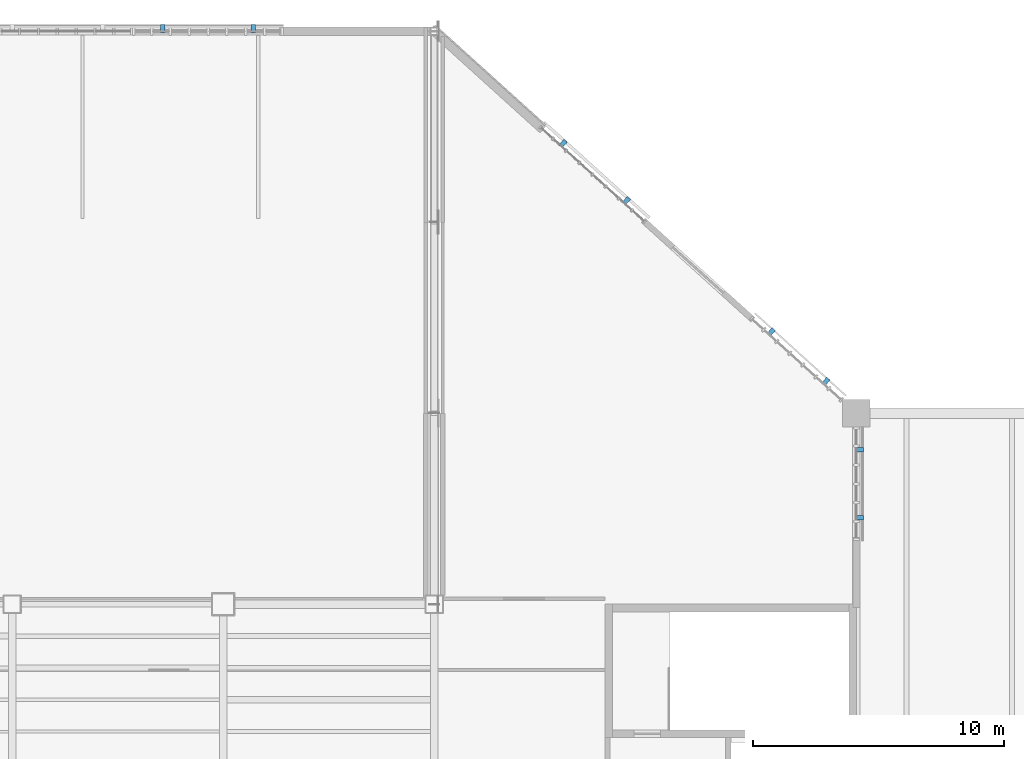
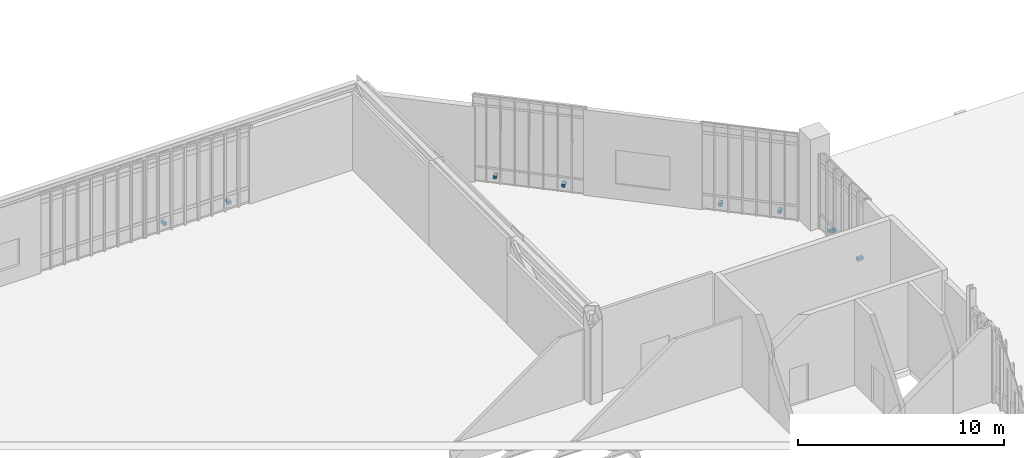
# One storey, part 126 of 135: 8 discrete accessories.
"""IFC4 building model written with IfcOpenShell, lengths in metres."""

import ifcopenshell
import ifcopenshell.guid

model = None  # the IFC model being written
_history = None  # IfcOwnerHistory: only IFC2X3 demands one
_inside = {}  # id of a spatial element -> (the spatial element, [elements in it])
_under = {}  # id of a project, library or spatial element -> (it, [spatial elements below it])
_declared = {}  # id of a project -> (the project, [libraries it declares])
_typed = {}  # id of a type object -> (the type object, [elements of that type])
_made_of = {}  # id of a material, layer set ... -> (it, [elements and type objects made of it])


def new_model(schema):
    """Start an empty IFC model of exactly this schema.

    Asked for "IFC4X3", IfcOpenShell would pick the latest addendum, in which some entities
    have other attributes; the version numbers below select the first issue.
    IFC2X3 requires an IfcOwnerHistory on every rooted entity: one is made here for all.
    """
    global model, _history
    if schema == "IFC4X3":
        model = ifcopenshell.file(schema_version=(4, 3, 0, 0))
    else:
        model = ifcopenshell.file(schema=schema)
    _inside.clear()
    _under.clear()
    _declared.clear()
    _typed.clear()
    _made_of.clear()
    _history = None
    if model.schema == "IFC2X3":
        org = make("IfcOrganization", Name="unknown")
        user = make(
            "IfcPersonAndOrganization",
            ThePerson=make("IfcPerson", FamilyName="unknown"),
            TheOrganization=org,
        )
        app = make(
            "IfcApplication",
            ApplicationDeveloper=org,
            Version="unknown",
            ApplicationFullName="unknown",
            ApplicationIdentifier="unknown",
        )
        _history = make(
            "IfcOwnerHistory",
            OwningUser=user,
            OwningApplication=app,
            ChangeAction="ADDED",
            CreationDate=0,
        )
    return model


def make(cls, **values):
    """One entity of the class cls with the attributes given. An attribute that is None is left unset."""
    return model.create_entity(
        cls, **{name: value for name, value in values.items() if value is not None}
    )


def rooted(cls, **values):
    """An entity with a GlobalId (a new one), such as an element, a storey or a relation."""
    return make(cls, GlobalId=ifcopenshell.guid.new(), OwnerHistory=_history, **values)


def si_unit(unit_type, name, prefix=None):
    """IfcSIUnit, for example si_unit("LENGTHUNIT", "METRE", prefix="MILLI")."""
    return make("IfcSIUnit", UnitType=unit_type, Prefix=prefix, Name=name)


def assignment(units):
    """IfcUnitAssignment: the units of a project."""
    return None if units is None else make("IfcUnitAssignment", Units=units)


def point(xyz):
    """IfcCartesianPoint."""
    return None if xyz is None else make("IfcCartesianPoint", Coordinates=xyz)


def direction(xyz):
    """IfcDirection."""
    return None if xyz is None else make("IfcDirection", DirectionRatios=xyz)


def frame(location, z_axis=None, x_axis=None):
    """IfcAxis2Placement3D, a coordinate frame: its origin and axes. An axis left out is left unset."""
    return make(
        "IfcAxis2Placement3D",
        Location=point(location),
        Axis=direction(z_axis),
        RefDirection=direction(x_axis),
    )


def frame_2d(location, x_axis=None):
    """IfcAxis2Placement2D, a coordinate frame in the plane: its origin and x axis."""
    return make(
        "IfcAxis2Placement2D", Location=point(location), RefDirection=direction(x_axis)
    )


def origin():
    """The frame at (0, 0, 0) with its axes left unset."""
    return frame((0.0, 0.0, 0.0))


def origin_2d():
    """The frame at (0, 0) in the plane with its x axis left unset."""
    return frame_2d((0.0, 0.0))


def place(relative_to, where):
    """IfcLocalPlacement: puts the frame where relative to a parent placement (None: the world)."""
    return make(
        "IfcLocalPlacement", PlacementRelTo=relative_to, RelativePlacement=where
    )


def context(
    kind, dimensions, precision=None, world=None, true_north=None, identifier=None
):
    """IfcGeometricRepresentationContext, for example the 3D "Model" context."""
    return make(
        "IfcGeometricRepresentationContext",
        ContextIdentifier=identifier,
        ContextType=kind,
        CoordinateSpaceDimension=dimensions,
        Precision=precision,
        WorldCoordinateSystem=world,
        TrueNorth=true_north,
    )


def subcontext(parent, identifier, kind, view, scale=None):
    """IfcGeometricRepresentationSubContext, for example "Body" below "Model"."""
    return make(
        "IfcGeometricRepresentationSubContext",
        ContextIdentifier=identifier,
        ContextType=kind,
        ParentContext=parent,
        TargetScale=scale,
        TargetView=view,
    )


def project(units=None, contexts=None):
    """IfcProject with its units and contexts."""
    return rooted(
        "IfcProject",
        Name="project",
        RepresentationContexts=contexts,
        UnitsInContext=assignment(units),
    )


def spatial(cls, under=None, at=None, **own):
    """A site, building, storey or space (cls), placed at a placement, below another one or the project."""
    s = rooted(cls, ObjectPlacement=at, **own)
    if under is not None:
        _under.setdefault(under.id(), (under, []))[1].append(s)
    return s


def profile(cls, at=None, kind="AREA", **sizes):
    """A parametric profile (cls). Its sizes go by their IFC names, for example OverallWidth=200.0."""
    return make(cls, ProfileType=kind, Position=at, **sizes)


def rectangle(**sizes):
    """IfcRectangleProfileDef."""
    return profile("IfcRectangleProfileDef", **sizes)


def extrude(swept, where, along, depth):
    """IfcExtrudedAreaSolid: the profile swept, set in the frame where, extruded along a direction by depth."""
    return make(
        "IfcExtrudedAreaSolid",
        SweptArea=swept,
        Position=where,
        ExtrudedDirection=direction(along),
        Depth=depth,
    )


def shape(context_of_items, identifier, shape_type, items):
    """IfcShapeRepresentation: the items that make up one representation, for example the "Body"."""
    return make(
        "IfcShapeRepresentation",
        ContextOfItems=context_of_items,
        RepresentationIdentifier=identifier,
        RepresentationType=shape_type,
        Items=items,
    )


def material(Name=None, Category=None):
    """IfcMaterial."""
    return make("IfcMaterial", Name=Name, Category=Category)


def layer(
    of_material, thickness, ventilated=None, Name=None, Category=None, Priority=None
):
    """IfcMaterialLayer: one layer of a wall or slab, of a material (None: an air gap)."""
    return make(
        "IfcMaterialLayer",
        Material=of_material,
        LayerThickness=thickness,
        IsVentilated=ventilated,
        Name=Name,
        Category=Category,
        Priority=Priority,
    )


def layer_set(layers, Name=None):
    """IfcMaterialLayerSet."""
    return make("IfcMaterialLayerSet", MaterialLayers=layers, LayerSetName=Name)


def made_of(thing, what):
    """Note that an element or type object is made of a material, layer set ...; save() writes the relation."""
    if what is not None:
        _made_of.setdefault(what.id(), (what, []))[1].append(thing)
    return thing


def type_object(cls, material=None, **own):
    """A type object (cls), such as IfcWallType, which elements share."""
    return made_of(rooted(cls, **own), material)


def element(
    cls,
    number,
    at=None,
    inside=None,
    cuts=None,
    type_object=None,
    material=None,
    context=None,
    identifier="Body",
    shape_type=None,
    held_by="IfcProductDefinitionShape",
    body=None,
    shapes=None,
    **own,
):
    """One element of the class cls, such as IfcWall. Its Tag is "e" and its number.

    at: its placement. inside: the storey or other place that contains it. cuts: it is an
    opening in that element (IfcRelVoidsElement). A single representation is given by context,
    identifier, shape_type and body (its items); several are given by shapes. held_by: the class
    of the entity that holds the representations. save() writes the other relations.
    """
    e = rooted(cls, Tag="e%d" % number, ObjectPlacement=at, **own)
    if body is not None:
        shapes = [shape(context, identifier, shape_type, body)]
    if shapes is not None:
        e.Representation = make(held_by, Representations=shapes)
    if inside is not None:
        _inside.setdefault(inside.id(), (inside, []))[1].append(e)
    if cuts is not None:
        rooted(
            "IfcRelVoidsElement", RelatingBuildingElement=cuts, RelatedOpeningElement=e
        )
    if type_object is not None:
        _typed.setdefault(type_object.id(), (type_object, []))[1].append(e)
    return made_of(e, material)


def aggregate(whole, parts):
    """IfcRelAggregates: a whole, such as a stair, and the parts it consists of."""
    return rooted("IfcRelAggregates", RelatingObject=whole, RelatedObjects=parts)


def save(model, path):
    """Write the relations noted so far, then the file.

    IfcRelAggregates (storeys below a building ...), IfcRelContainedInSpatialStructure (elements
    in a storey), IfcRelDefinesByType, IfcRelAssociatesMaterial and IfcRelDeclares: one each for
    every whole, place, type object, material and project.
    """
    for whole, parts in _under.values():
        aggregate(whole, parts)
    for where, things in _inside.values():
        rooted(
            "IfcRelContainedInSpatialStructure",
            RelatedElements=things,
            RelatingStructure=where,
        )
    for kind, things in _typed.values():
        rooted("IfcRelDefinesByType", RelatedObjects=things, RelatingType=kind)
    for what, things in _made_of.values():
        rooted("IfcRelAssociatesMaterial", RelatedObjects=things, RelatingMaterial=what)
    for by, libraries in _declared.values():
        rooted("IfcRelDeclares", RelatingContext=by, RelatedDefinitions=libraries)
    model.write(path)


model = new_model("IFC4")

# Units and contexts
model_context = context("Model", 3, precision=1e-05, world=origin(), true_north=direction((0.0, 1.0)))
body_context = subcontext(model_context, "Body", "Model", "MODEL_VIEW")
ifc_project = project(units=[si_unit("LENGTHUNIT", "METRE"), si_unit("AREAUNIT", "SQUARE_METRE"), si_unit("VOLUMEUNIT", "CUBIC_METRE"), si_unit("PLANEANGLEUNIT", "RADIAN"), si_unit("MASSUNIT", "GRAM", prefix="KILO")], contexts=[model_context])

# Site, building, storey
site_placement = place(None, origin())
site = spatial("IfcSite", under=ifc_project, at=site_placement, CompositionType="ELEMENT")
building_placement = place(site_placement, origin())
building = spatial("IfcBuilding", under=site, at=building_placement, Name="Larkvane Passage Sports Hall", CompositionType="ELEMENT")
storey_placement = place(building_placement, frame((0.0, 0.0, 16.800048828125)))
storey = spatial("IfcBuildingStorey", under=building, at=storey_placement, Name="L03", CompositionType="ELEMENT", Elevation=16.800048828125)

# Discrete accessories
ifc_material = material(Name="Steel S355JR", Category="steel")
ifc_layer = layer(ifc_material, 0.179931640625)
ifc_layer_set = layer_set([ifc_layer], Name="Steel S355JR")
discrete_accessory_type = type_object("IfcDiscreteAccessoryType", Name="ACC-BRACKET-STL", PredefinedType="BRACKET", material=ifc_layer_set)
for number, where, z_axis, x_axis, name in (
    (1, (66.0, 114.52001953125, 0.259765625), (0.0, 0.0, 1.0), (1.0, 0.0, 0.0), "Veil outrigger bracket L03-101-1"),
    (2, (69.60009765625, 114.52001953125, 0.259765625), (0.0, 0.0, 1.0), (1.0, 0.0, 0.0), "Veil outrigger bracket L03-101-2"),
    (3, (81.92041015625, 109.928955078125, 0.259765625), (0.0, 0.0, 1.0), (0.741535779122, -0.670913323971, 0.0), "Veil outrigger bracket L03-102-1"),
    (4, (84.4404296875, 107.64892578125, 0.259765625), (0.0, 0.0, 1.0), (0.741535779122, -0.670913323971, 0.0), "Veil outrigger bracket L03-102-2"),
    (5, (90.205810546875, 102.4326171875, 0.259765625), (0.0, 0.0, 1.0), (0.741535779122, -0.670913323971, 0.0), "Veil outrigger bracket L03-103-1"),
    (6, (92.382080078125, 100.4638671875, 0.259765625), (0.0, 0.0, 1.0), (0.741535779122, -0.670913323971, 0.0), "Veil outrigger bracket L03-103-2"),
    (7, (93.719970703125, 97.749755859375, 0.259765625), (0.0, 0.0, 1.0), (0.0, -1.0, 0.0), "Veil outrigger bracket L03-104-1"),
    (8, (93.719970703125, 95.037353515625, 0.259765625), (0.0, 0.0, 1.0), (0.0, -1.0, 0.0), "Veil outrigger bracket L03-104-2"),
):
    element("IfcDiscreteAccessory", number, at=place(storey_placement, frame(where, z_axis=z_axis, x_axis=x_axis)), inside=storey, type_object=discrete_accessory_type, Name=name, PredefinedType="BRACKET", context=body_context, shape_type="SweptSolid", body=[
        extrude(rectangle(XDim=0.179931640625, YDim=0.320068359375, at=origin_2d()), origin(), (0.0, 0.0, 1.0), 0.179931640625),
    ])

save(model, "model.ifc")
